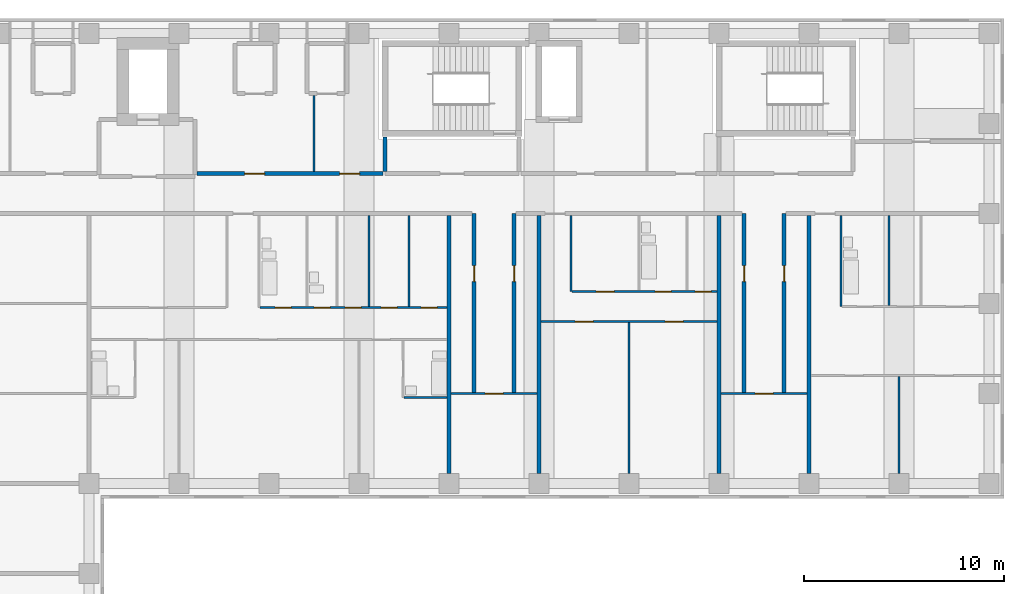
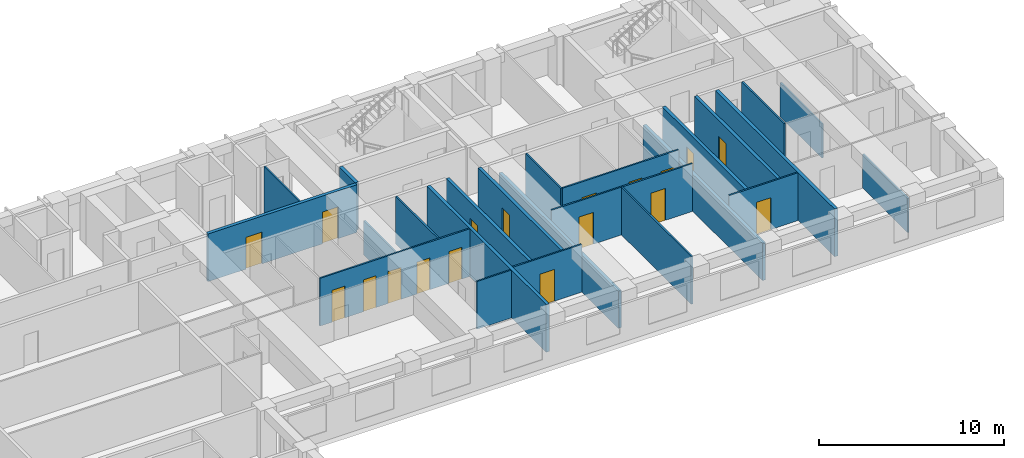
# One storey, part 7 of 12: 24 walls, 18 doors, 18 openings.
"""IFC4 building model written with IfcOpenShell, lengths in metres."""

from ifc_helpers import new_model, si_unit, direction, frame, frame_2d, origin, place, context, subcontext, project, spatial, rectangle, extrude, material, layer, layer_set, type_object, element, fill, save


model = new_model("IFC4")

# Units and contexts
model_context = context("Model", 3, precision=1e-05, world=origin(), true_north=direction((0.0, 1.0)))
body_context = subcontext(model_context, "Body", "Model", "MODEL_VIEW")
ifc_project = project(units=[si_unit("LENGTHUNIT", "METRE"), si_unit("AREAUNIT", "SQUARE_METRE"), si_unit("VOLUMEUNIT", "CUBIC_METRE"), si_unit("PLANEANGLEUNIT", "RADIAN"), si_unit("MASSUNIT", "GRAM", prefix="KILO")], contexts=[model_context])

# Site, building, storey
site_placement = place(None, origin())
site = spatial("IfcSite", under=ifc_project, at=site_placement, CompositionType="ELEMENT")
building_placement = place(site_placement, origin())
building = spatial("IfcBuilding", under=site, at=building_placement, Name="Firuza Court", CompositionType="ELEMENT")
storey_placement = place(building_placement, frame((0.0, 0.0, 170.0)))
storey = spatial("IfcBuildingStorey", under=building, at=storey_placement, Name="L43", CompositionType="ELEMENT", Elevation=170.0)

# Walls
ifc_material_1 = material(Name="Moisture-resistant gypsum board partition")
ifc_layer_1 = layer(ifc_material_1, 0.10009765625)
ifc_layer_set_1 = layer_set([ifc_layer_1], Name="Moisture-resistant gypsum board partition")
wall_type_1 = type_object("IfcWallType", Name="Bathroom partition 100", PredefinedType="PLUMBINGWALL", material=ifc_layer_set_1)
wall_1_placement = place(storey_placement, frame((38.25, 40.300048828125, 0.0), z_axis=(0.0, 0.0, 1.0), x_axis=(1.0, 0.0, 0.0)))
element("IfcWall", 1, at=wall_1_placement, inside=storey, type_object=wall_type_1, Name="Bathroom partition 100 L43", PredefinedType="PLUMBINGWALL", context=body_context, shape_type="SweptSolid", body=[
    extrude(rectangle(XDim=2.14990234375, YDim=0.10009765625, at=frame_2d((1.074951171875, 0.0))), origin(), (0.0, 0.0, 1.0), 3.14990234375),
])
wall_2_placement = place(storey_placement, frame((60.10009765625, 44.85009765625, 0.0), z_axis=(0.0, 0.0, 1.0), x_axis=(0.0, 1.0, 0.0)))
element("IfcWall", 2, at=wall_2_placement, inside=storey, type_object=wall_type_1, Name="Bathroom partition 100 L43", PredefinedType="PLUMBINGWALL", context=body_context, shape_type="SweptSolid", body=[
    extrude(rectangle(XDim=4.5498046875, YDim=0.10009765625, at=frame_2d((2.27490234375, 0.0))), origin(), (0.0, 0.0, 1.0), 3.14990234375),
])
wall_3_placement = place(storey_placement, frame((62.5, 44.89990234375, 0.0), z_axis=(0.0, 0.0, 1.0), x_axis=(0.0, 1.0, 0.0)))
element("IfcWall", 3, at=wall_3_placement, inside=storey, type_object=wall_type_1, Name="Bathroom partition 100 L43", PredefinedType="PLUMBINGWALL", context=body_context, shape_type="SweptSolid", body=[
    extrude(rectangle(XDim=4.5, YDim=0.10009765625, at=frame_2d((2.25, 0.0))), origin(), (0.0, 0.0, 1.0), 2.25),
])

# Wall, opening, door
ifc_material_2 = material(Name="Blockwork, plastered both sides", Category="masonry")
ifc_layer_2 = layer(ifc_material_2, 0.199951171875)
ifc_layer_set_2 = layer_set([ifc_layer_2], Name="Blockwork, plastered both sides")
wall_type_2 = type_object("IfcWallType", Name="Corridor wall 200", PredefinedType="PARTITIONING", material=ifc_layer_set_2)
wall_4_placement = place(storey_placement, frame((41.75, 40.550048828125, 0.0), z_axis=(0.0, 0.0, 1.0), x_axis=(0.0, 1.0, 0.0)))
wall_4 = element("IfcWall", 4, at=wall_4_placement, inside=storey, type_object=wall_type_2, Name="Corridor wall 200 L43", PredefinedType="PARTITIONING", context=body_context, shape_type="SweptSolid", body=[
    extrude(rectangle(XDim=8.949951171875, YDim=0.199951171875, at=frame_2d((4.47509765625, 0.0))), origin(), (0.0, 0.0, 1.0), 3.14990234375),
])
opening_1_placement = place(wall_4_placement, frame((5.550048828125, 0.0, 0.0)))
opening_1 = element("IfcOpeningElement", 5, at=opening_1_placement, cuts=wall_4, Name="Opening D43044", PredefinedType="OPENING", context=body_context, shape_type="SweptSolid", body=[
    extrude(rectangle(XDim=0.800048828125, YDim=2.10009765625, at=frame_2d((0.39990234375, 1.050048828125))), frame((0.0, 0.11181640625, 0.0), z_axis=(0.0, -1.0, 0.0), x_axis=(1.0, 0.0, 0.0)), (0.0, 0.0, 1.0), 0.223876953125),
])
ifc_material_3 = material(Name="Timber door leaf in hardwood frame", Category="wood")
door_type_1 = type_object("IfcDoorType", Name="Room door 800 EI 30", OperationType="SINGLE_SWING_LEFT", PredefinedType="DOOR", material=ifc_material_3)
door_1_placement = place(opening_1_placement, origin())
door_1 = element("IfcDoor", 6, at=door_1_placement, inside=storey, type_object=door_type_1, Name="Store door", OperationType="SINGLE_SWING_RIGHT", OverallHeight=2.10009765625, OverallWidth=0.800048828125, PredefinedType="DOOR", context=body_context, shape_type="SweptSolid", body=[
    extrude(rectangle(XDim=0.800048828125, YDim=2.10009765625, at=frame_2d((0.39990234375, 1.050048828125))), frame((0.0, 0.02490234375, 0.0), z_axis=(0.0, -1.0, 0.0), x_axis=(1.0, 0.0, 0.0)), (0.0, 0.0, 1.0), 0.050048828125),
])
fill(opening_1, door_1)

wall_5_placement = place(storey_placement, frame((43.75, 40.550048828125, 0.0), z_axis=(0.0, 0.0, 1.0), x_axis=(0.0, 1.0, 0.0)))
wall_5 = element("IfcWall", 7, at=wall_5_placement, inside=storey, type_object=wall_type_2, Name="Corridor wall 200 L43", PredefinedType="PARTITIONING", context=body_context, shape_type="SweptSolid", body=[
    extrude(rectangle(XDim=8.949951171875, YDim=0.199951171875, at=frame_2d((4.47509765625, 0.0))), origin(), (0.0, 0.0, 1.0), 3.14990234375),
])
opening_2_placement = place(wall_5_placement, frame((5.550048828125, 0.0, 0.0)))
opening_2 = element("IfcOpeningElement", 8, at=opening_2_placement, cuts=wall_5, Name="Opening D43045", PredefinedType="OPENING", context=body_context, shape_type="SweptSolid", body=[
    extrude(rectangle(XDim=0.800048828125, YDim=2.10009765625, at=frame_2d((0.39990234375, 1.050048828125))), frame((0.0, 0.11181640625, 0.0), z_axis=(0.0, -1.0, 0.0), x_axis=(1.0, 0.0, 0.0)), (0.0, 0.0, 1.0), 0.223876953125),
])
door_2_placement = place(opening_2_placement, frame((0.800048828125, 0.0, 0.0), z_axis=(0.0, 0.0, 1.0), x_axis=(-1.0, 0.0, 0.0)))
door_2 = element("IfcDoor", 9, at=door_2_placement, inside=storey, type_object=door_type_1, Name="Store door", OperationType="SINGLE_SWING_LEFT", OverallHeight=2.10009765625, OverallWidth=0.800048828125, PredefinedType="DOOR", context=body_context, shape_type="SweptSolid", body=[
    extrude(rectangle(XDim=0.800048828125, YDim=2.10009765625, at=frame_2d((0.39990234375, 1.050048828125))), frame((0.0, 0.02490234375, 0.0), z_axis=(0.0, -1.0, 0.0), x_axis=(1.0, 0.0, 0.0)), (0.0, 0.0, 1.0), 0.050048828125),
])
fill(opening_2, door_2)

wall_6_placement = place(storey_placement, frame((55.25, 40.550048828125, 0.0), z_axis=(0.0, 0.0, 1.0), x_axis=(0.0, 1.0, 0.0)))
wall_6 = element("IfcWall", 10, at=wall_6_placement, inside=storey, type_object=wall_type_2, Name="Corridor wall 200 L43", PredefinedType="PARTITIONING", context=body_context, shape_type="SweptSolid", body=[
    extrude(rectangle(XDim=8.949951171875, YDim=0.199951171875, at=frame_2d((4.47509765625, 0.0))), origin(), (0.0, 0.0, 1.0), 3.14990234375),
])
opening_3_placement = place(wall_6_placement, frame((5.550048828125, 0.0, 0.0)))
opening_3 = element("IfcOpeningElement", 11, at=opening_3_placement, cuts=wall_6, Name="Opening D43046", PredefinedType="OPENING", context=body_context, shape_type="SweptSolid", body=[
    extrude(rectangle(XDim=0.800048828125, YDim=2.10009765625, at=frame_2d((0.39990234375, 1.050048828125))), frame((0.0, 0.11181640625, 0.0), z_axis=(0.0, -1.0, 0.0), x_axis=(1.0, 0.0, 0.0)), (0.0, 0.0, 1.0), 0.223876953125),
])
door_3_placement = place(opening_3_placement, origin())
door_3 = element("IfcDoor", 12, at=door_3_placement, inside=storey, type_object=door_type_1, Name="Store door", OperationType="SINGLE_SWING_RIGHT", OverallHeight=2.10009765625, OverallWidth=0.800048828125, PredefinedType="DOOR", context=body_context, shape_type="SweptSolid", body=[
    extrude(rectangle(XDim=0.800048828125, YDim=2.10009765625, at=frame_2d((0.39990234375, 1.050048828125))), frame((0.0, 0.02490234375, 0.0), z_axis=(0.0, -1.0, 0.0), x_axis=(1.0, 0.0, 0.0)), (0.0, 0.0, 1.0), 0.050048828125),
])
fill(opening_3, door_3)

wall_7_placement = place(storey_placement, frame((57.25, 40.550048828125, 0.0), z_axis=(0.0, 0.0, 1.0), x_axis=(0.0, 1.0, 0.0)))
wall_7 = element("IfcWall", 13, at=wall_7_placement, inside=storey, type_object=wall_type_2, Name="Corridor wall 200 L43", PredefinedType="PARTITIONING", context=body_context, shape_type="SweptSolid", body=[
    extrude(rectangle(XDim=8.949951171875, YDim=0.199951171875, at=frame_2d((4.47509765625, 0.0))), origin(), (0.0, 0.0, 1.0), 3.14990234375),
])
opening_4_placement = place(wall_7_placement, frame((5.550048828125, 0.0, 0.0)))
opening_4 = element("IfcOpeningElement", 14, at=opening_4_placement, cuts=wall_7, Name="Opening D43047", PredefinedType="OPENING", context=body_context, shape_type="SweptSolid", body=[
    extrude(rectangle(XDim=0.800048828125, YDim=2.10009765625, at=frame_2d((0.39990234375, 1.050048828125))), frame((0.0, 0.11181640625, 0.0), z_axis=(0.0, -1.0, 0.0), x_axis=(1.0, 0.0, 0.0)), (0.0, 0.0, 1.0), 0.223876953125),
])
door_4_placement = place(opening_4_placement, frame((0.800048828125, 0.0, 0.0), z_axis=(0.0, 0.0, 1.0), x_axis=(-1.0, 0.0, 0.0)))
door_4 = element("IfcDoor", 15, at=door_4_placement, inside=storey, type_object=door_type_1, Name="Store door", OperationType="SINGLE_SWING_LEFT", OverallHeight=2.10009765625, OverallWidth=0.800048828125, PredefinedType="DOOR", context=body_context, shape_type="SweptSolid", body=[
    extrude(rectangle(XDim=0.800048828125, YDim=2.10009765625, at=frame_2d((0.39990234375, 1.050048828125))), frame((0.0, 0.02490234375, 0.0), z_axis=(0.0, -1.0, 0.0), x_axis=(1.0, 0.0, 0.0)), (0.0, 0.0, 1.0), 0.050048828125),
])
fill(opening_4, door_4)

# Wall, openings, doors
wall_8_placement = place(storey_placement, frame((27.89990234375, 51.5, 0.0), z_axis=(0.0, 0.0, 1.0), x_axis=(1.0, 0.0, 0.0)))
wall_8 = element("IfcWall", 16, at=wall_8_placement, inside=storey, type_object=wall_type_2, Name="Corridor wall 200 L43", PredefinedType="PARTITIONING", context=body_context, shape_type="SweptSolid", body=[
    extrude(rectangle(XDim=9.300048828125, YDim=0.199951171875, at=frame_2d((4.64990234375, 0.0))), origin(), (0.0, 0.0, 1.0), 3.14990234375),
])
opening_5_placement = place(wall_8_placement, frame((2.375, 0.0, 0.0)))
opening_5 = element("IfcOpeningElement", 17, at=opening_5_placement, cuts=wall_8, Name="Opening D43073", PredefinedType="OPENING", context=body_context, shape_type="SweptSolid", body=[
    extrude(rectangle(XDim=1.0, YDim=2.10009765625, at=frame_2d((0.5, 1.050048828125))), frame((0.0, 0.11181640625, 0.0), z_axis=(0.0, -1.0, 0.0), x_axis=(1.0, 0.0, 0.0)), (0.0, 0.0, 1.0), 0.223876953125),
])
opening_6_placement = place(wall_8_placement, frame((7.125, 0.0, 0.0)))
opening_6 = element("IfcOpeningElement", 18, at=opening_6_placement, cuts=wall_8, Name="Opening D43074", PredefinedType="OPENING", context=body_context, shape_type="SweptSolid", body=[
    extrude(rectangle(XDim=1.0, YDim=2.10009765625, at=frame_2d((0.5, 1.050048828125))), frame((0.0, 0.11181640625, 0.0), z_axis=(0.0, -1.0, 0.0), x_axis=(1.0, 0.0, 0.0)), (0.0, 0.0, 1.0), 0.223876953125),
])
ifc_material_4 = material(Name="Timber door leaf in hardwood frame", Category="wood")
door_type_2 = type_object("IfcDoorType", Name="Store door 1000", OperationType="SINGLE_SWING_LEFT", PredefinedType="DOOR", material=ifc_material_4)
door_5_placement = place(opening_5_placement, origin())
door_5 = element("IfcDoor", 19, at=door_5_placement, inside=storey, type_object=door_type_2, Name="Comms room door", OperationType="SINGLE_SWING_LEFT", OverallHeight=2.10009765625, OverallWidth=1.0, PredefinedType="DOOR", context=body_context, shape_type="SweptSolid", body=[
    extrude(rectangle(XDim=1.0, YDim=2.10009765625, at=frame_2d((0.5, 1.050048828125))), frame((0.0, 0.02490234375, 0.0), z_axis=(0.0, -1.0, 0.0), x_axis=(1.0, 0.0, 0.0)), (0.0, 0.0, 1.0), 0.050048828125),
])
fill(opening_5, door_5)
door_6_placement = place(opening_6_placement, origin())
door_6 = element("IfcDoor", 20, at=door_6_placement, inside=storey, type_object=door_type_2, Name="Cleaner's store door", OperationType="SINGLE_SWING_LEFT", OverallHeight=2.10009765625, OverallWidth=1.0, PredefinedType="DOOR", context=body_context, shape_type="SweptSolid", body=[
    extrude(rectangle(XDim=1.0, YDim=2.10009765625, at=frame_2d((0.5, 1.050048828125))), frame((0.0, 0.02490234375, 0.0), z_axis=(0.0, -1.0, 0.0), x_axis=(1.0, 0.0, 0.0)), (0.0, 0.0, 1.0), 0.050048828125),
])
fill(opening_6, door_6)

# Walls
ifc_material_5 = material(Name="Timber stud partition, plasterboard both sides", Category="wood")
ifc_layer_3 = layer(ifc_material_5, 0.10009765625)
ifc_layer_set_3 = layer_set([ifc_layer_3], Name="Timber stud partition, plasterboard both sides")
wall_type_3 = type_object("IfcWallType", Name="Partition wall 100", PredefinedType="PARTITIONING", material=ifc_layer_set_3)
wall_9_placement = place(storey_placement, frame((49.5, 36.5, 0.0), z_axis=(0.0, 0.0, 1.0), x_axis=(0.0, 1.0, 0.0)))
element("IfcWall", 21, at=wall_9_placement, inside=storey, type_object=wall_type_3, Name="Partition wall 100 L43", PredefinedType="PARTITIONING", context=body_context, shape_type="SweptSolid", body=[
    extrude(rectangle(XDim=7.550048828125, YDim=0.10009765625, at=frame_2d((3.77490234375, 0.0))), origin(), (0.0, 0.0, 1.0), 3.14990234375),
])
wall_10_placement = place(storey_placement, frame((63.0, 36.5, 0.0), z_axis=(0.0, 0.0, 1.0), x_axis=(0.0, 1.0, 0.0)))
element("IfcWall", 22, at=wall_10_placement, inside=storey, type_object=wall_type_3, Name="Partition wall 100 L43", PredefinedType="PARTITIONING", context=body_context, shape_type="SweptSolid", body=[
    extrude(rectangle(XDim=4.85009765625, YDim=0.10009765625, at=frame_2d((2.425048828125, 0.0))), origin(), (0.0, 0.0, 1.0), 2.25),
])

# Wall, opening, door
wall_11_placement = place(storey_placement, frame((40.60009765625, 40.5, 0.0), z_axis=(0.0, 0.0, 1.0), x_axis=(1.0, 0.0, 0.0)))
wall_11 = element("IfcWall", 23, at=wall_11_placement, inside=storey, type_object=wall_type_3, Name="Partition wall 100 L43", PredefinedType="PARTITIONING", context=body_context, shape_type="SweptSolid", body=[
    extrude(rectangle(XDim=4.2998046875, YDim=0.10009765625, at=frame_2d((2.14990234375, 0.0))), origin(), (0.0, 0.0, 1.0), 3.14990234375),
])
opening_7_placement = place(wall_11_placement, frame((1.699951171875, 0.0, 0.0)))
opening_7 = element("IfcOpeningElement", 24, at=opening_7_placement, cuts=wall_11, Name="Opening D43042", PredefinedType="OPENING", context=body_context, shape_type="SweptSolid", body=[
    extrude(rectangle(XDim=0.89990234375, YDim=2.10009765625, at=frame_2d((0.449951171875, 1.050048828125))), frame((0.0, 0.06201171875, 0.0), z_axis=(0.0, -1.0, 0.0), x_axis=(1.0, 0.0, 0.0)), (0.0, 0.0, 1.0), 0.1240234375),
])
ifc_material_6 = material(Name="Timber door leaf in hardwood frame", Category="wood")
door_type_3 = type_object("IfcDoorType", Name="Room door 900", OperationType="SINGLE_SWING_LEFT", PredefinedType="DOOR", material=ifc_material_6)
door_7_placement = place(opening_7_placement, origin())
door_7 = element("IfcDoor", 25, at=door_7_placement, inside=storey, type_object=door_type_3, Name="Reading lounge door", OperationType="SINGLE_SWING_LEFT", OverallHeight=2.10009765625, OverallWidth=0.89990234375, PredefinedType="DOOR", context=body_context, shape_type="SweptSolid", body=[
    extrude(rectangle(XDim=0.89990234375, YDim=2.10009765625, at=frame_2d((0.449951171875, 1.050048828125))), frame((0.0, 0.02490234375, 0.0), z_axis=(0.0, -1.0, 0.0), x_axis=(1.0, 0.0, 0.0)), (0.0, 0.0, 1.0), 0.050048828125),
])
fill(opening_7, door_7)

wall_12_placement = place(storey_placement, frame((54.10009765625, 40.5, 0.0), z_axis=(0.0, 0.0, 1.0), x_axis=(1.0, 0.0, 0.0)))
wall_12 = element("IfcWall", 26, at=wall_12_placement, inside=storey, type_object=wall_type_3, Name="Partition wall 100 L43", PredefinedType="PARTITIONING", context=body_context, shape_type="SweptSolid", body=[
    extrude(rectangle(XDim=4.2998046875, YDim=0.10009765625, at=frame_2d((2.14990234375, 0.0))), origin(), (0.0, 0.0, 1.0), 3.14990234375),
])
opening_8_placement = place(wall_12_placement, frame((1.699951171875, 0.0, 0.0)))
opening_8 = element("IfcOpeningElement", 27, at=opening_8_placement, cuts=wall_12, Name="Opening D43043", PredefinedType="OPENING", context=body_context, shape_type="SweptSolid", body=[
    extrude(rectangle(XDim=0.89990234375, YDim=2.10009765625, at=frame_2d((0.449951171875, 1.050048828125))), frame((0.0, 0.06201171875, 0.0), z_axis=(0.0, -1.0, 0.0), x_axis=(1.0, 0.0, 0.0)), (0.0, 0.0, 1.0), 0.1240234375),
])
door_8_placement = place(opening_8_placement, origin())
door_8 = element("IfcDoor", 28, at=door_8_placement, inside=storey, type_object=door_type_3, Name="Residents' lounge door", OperationType="SINGLE_SWING_LEFT", OverallHeight=2.10009765625, OverallWidth=0.89990234375, PredefinedType="DOOR", context=body_context, shape_type="SweptSolid", body=[
    extrude(rectangle(XDim=0.89990234375, YDim=2.10009765625, at=frame_2d((0.449951171875, 1.050048828125))), frame((0.0, 0.02490234375, 0.0), z_axis=(0.0, -1.0, 0.0), x_axis=(1.0, 0.0, 0.0)), (0.0, 0.0, 1.0), 0.050048828125),
])
fill(opening_8, door_8)

# Wall, openings, doors
wall_13_placement = place(storey_placement, frame((45.10009765625, 44.10009765625, 0.0), z_axis=(0.0, 0.0, 1.0), x_axis=(1.0, 0.0, 0.0)))
wall_13 = element("IfcWall", 29, at=wall_13_placement, inside=storey, type_object=wall_type_3, Name="Partition wall 100 L43", PredefinedType="PARTITIONING", context=body_context, shape_type="SweptSolid", body=[
    extrude(rectangle(XDim=8.7998046875, YDim=0.10009765625, at=frame_2d((4.39990234375, 0.0))), origin(), (0.0, 0.0, 1.0), 3.14990234375),
])
opening_9_placement = place(wall_13_placement, frame((1.699951171875, 0.0, 0.0)))
opening_9 = element("IfcOpeningElement", 30, at=opening_9_placement, cuts=wall_13, Name="Opening D43053", PredefinedType="OPENING", context=body_context, shape_type="SweptSolid", body=[
    extrude(rectangle(XDim=0.89990234375, YDim=2.10009765625, at=frame_2d((0.449951171875, 1.050048828125))), frame((0.0, 0.06201171875, 0.0), z_axis=(0.0, -1.0, 0.0), x_axis=(1.0, 0.0, 0.0)), (0.0, 0.0, 1.0), 0.1240234375),
])
opening_10_placement = place(wall_13_placement, frame((6.199951171875, 0.0, 0.0)))
opening_10 = element("IfcOpeningElement", 31, at=opening_10_placement, cuts=wall_13, Name="Opening D43054", PredefinedType="OPENING", context=body_context, shape_type="SweptSolid", body=[
    extrude(rectangle(XDim=0.89990234375, YDim=2.10009765625, at=frame_2d((0.449951171875, 1.050048828125))), frame((0.0, 0.06201171875, 0.0), z_axis=(0.0, -1.0, 0.0), x_axis=(1.0, 0.0, 0.0)), (0.0, 0.0, 1.0), 0.1240234375),
])
door_9_placement = place(opening_9_placement, frame((0.89990234375, 0.0, 0.0), z_axis=(0.0, 0.0, 1.0), x_axis=(-1.0, 0.0, 0.0)))
door_9 = element("IfcDoor", 32, at=door_9_placement, inside=storey, type_object=door_type_3, Name="Living room door", OperationType="SINGLE_SWING_RIGHT", OverallHeight=2.10009765625, OverallWidth=0.89990234375, PredefinedType="DOOR", context=body_context, shape_type="SweptSolid", body=[
    extrude(rectangle(XDim=0.89990234375, YDim=2.10009765625, at=frame_2d((0.449951171875, 1.050048828125))), frame((0.0, 0.02490234375, 0.0), z_axis=(0.0, -1.0, 0.0), x_axis=(1.0, 0.0, 0.0)), (0.0, 0.0, 1.0), 0.050048828125),
])
fill(opening_9, door_9)
door_10_placement = place(opening_10_placement, frame((0.89990234375, 0.0, 0.0), z_axis=(0.0, 0.0, 1.0), x_axis=(-1.0, 0.0, 0.0)))
door_10 = element("IfcDoor", 33, at=door_10_placement, inside=storey, type_object=door_type_3, Name="Bedroom door", OperationType="SINGLE_SWING_RIGHT", OverallHeight=2.10009765625, OverallWidth=0.89990234375, PredefinedType="DOOR", context=body_context, shape_type="SweptSolid", body=[
    extrude(rectangle(XDim=0.89990234375, YDim=2.10009765625, at=frame_2d((0.449951171875, 1.050048828125))), frame((0.0, 0.02490234375, 0.0), z_axis=(0.0, -1.0, 0.0), x_axis=(1.0, 0.0, 0.0)), (0.0, 0.0, 1.0), 0.050048828125),
])
fill(opening_10, door_10)

wall_14_placement = place(storey_placement, frame((31.050048828125, 44.800048828125, 0.0), z_axis=(0.0, 0.0, 1.0), x_axis=(1.0, 0.0, 0.0)))
wall_14 = element("IfcWall", 34, at=wall_14_placement, inside=storey, type_object=wall_type_3, Name="Partition wall 100 L43", PredefinedType="PARTITIONING", context=body_context, shape_type="SweptSolid", body=[
    extrude(rectangle(XDim=9.349853515625, YDim=0.10009765625, at=frame_2d((4.6748046875, 0.0))), origin(), (0.0, 0.0, 1.0), 3.14990234375),
])
opening_11_placement = place(wall_14_placement, frame((0.75, 0.0, 0.0)))
opening_11 = element("IfcOpeningElement", 35, at=opening_11_placement, cuts=wall_14, Name="Opening D43056", PredefinedType="OPENING", context=body_context, shape_type="SweptSolid", body=[
    extrude(rectangle(XDim=0.800048828125, YDim=2.10009765625, at=frame_2d((0.39990234375, 1.050048828125))), frame((0.0, 0.06201171875, 0.0), z_axis=(0.0, -1.0, 0.0), x_axis=(1.0, 0.0, 0.0)), (0.0, 0.0, 1.0), 0.1240234375),
])
opening_12_placement = place(wall_14_placement, frame((8.050048828125, 0.0, 0.0)))
opening_12 = element("IfcOpeningElement", 36, at=opening_12_placement, cuts=wall_14, Name="Opening D43057", PredefinedType="OPENING", context=body_context, shape_type="SweptSolid", body=[
    extrude(rectangle(XDim=0.800048828125, YDim=2.10009765625, at=frame_2d((0.39990234375, 1.050048828125))), frame((0.0, 0.06201171875, 0.0), z_axis=(0.0, -1.0, 0.0), x_axis=(1.0, 0.0, 0.0)), (0.0, 0.0, 1.0), 0.1240234375),
])
opening_13_placement = place(wall_14_placement, frame((4.25, 0.0, 0.0)))
opening_13 = element("IfcOpeningElement", 37, at=opening_13_placement, cuts=wall_14, Name="Opening D43058", PredefinedType="OPENING", context=body_context, shape_type="SweptSolid", body=[
    extrude(rectangle(XDim=0.800048828125, YDim=2.10009765625, at=frame_2d((0.39990234375, 1.050048828125))), frame((0.0, 0.06201171875, 0.0), z_axis=(0.0, -1.0, 0.0), x_axis=(1.0, 0.0, 0.0)), (0.0, 0.0, 1.0), 0.1240234375),
])
opening_14_placement = place(wall_14_placement, frame((6.050048828125, 0.0, 0.0)))
opening_14 = element("IfcOpeningElement", 38, at=opening_14_placement, cuts=wall_14, Name="Opening D43059", PredefinedType="OPENING", context=body_context, shape_type="SweptSolid", body=[
    extrude(rectangle(XDim=0.800048828125, YDim=2.10009765625, at=frame_2d((0.39990234375, 1.050048828125))), frame((0.0, 0.06201171875, 0.0), z_axis=(0.0, -1.0, 0.0), x_axis=(1.0, 0.0, 0.0)), (0.0, 0.0, 1.0), 0.1240234375),
])
opening_15_placement = place(wall_14_placement, frame((2.699951171875, 0.0, 0.0)))
opening_15 = element("IfcOpeningElement", 39, at=opening_15_placement, cuts=wall_14, Name="Opening D43060", PredefinedType="OPENING", context=body_context, shape_type="SweptSolid", body=[
    extrude(rectangle(XDim=0.800048828125, YDim=2.10009765625, at=frame_2d((0.39990234375, 1.050048828125))), frame((0.0, 0.06201171875, 0.0), z_axis=(0.0, -1.0, 0.0), x_axis=(1.0, 0.0, 0.0)), (0.0, 0.0, 1.0), 0.1240234375),
])
ifc_material_7 = material(Name="Timber door leaf in hardwood frame", Category="wood")
door_type_4 = type_object("IfcDoorType", Name="Bathroom door 800", OperationType="SINGLE_SWING_LEFT", PredefinedType="DOOR", material=ifc_material_7)
door_11_placement = place(opening_11_placement, origin())
door_11 = element("IfcDoor", 40, at=door_11_placement, inside=storey, type_object=door_type_4, Name="Bathroom door", OperationType="SINGLE_SWING_LEFT", OverallHeight=2.10009765625, OverallWidth=0.800048828125, PredefinedType="DOOR", context=body_context, shape_type="SweptSolid", body=[
    extrude(rectangle(XDim=0.800048828125, YDim=2.10009765625, at=frame_2d((0.39990234375, 1.050048828125))), frame((0.0, 0.02490234375, 0.0), z_axis=(0.0, -1.0, 0.0), x_axis=(1.0, 0.0, 0.0)), (0.0, 0.0, 1.0), 0.050048828125),
])
fill(opening_11, door_11)
door_12_placement = place(opening_15_placement, origin())
door_12 = element("IfcDoor", 41, at=door_12_placement, inside=storey, type_object=door_type_4, Name="Powder room door", OperationType="SINGLE_SWING_LEFT", OverallHeight=2.10009765625, OverallWidth=0.800048828125, PredefinedType="DOOR", context=body_context, shape_type="SweptSolid", body=[
    extrude(rectangle(XDim=0.800048828125, YDim=2.10009765625, at=frame_2d((0.39990234375, 1.050048828125))), frame((0.0, 0.02490234375, 0.0), z_axis=(0.0, -1.0, 0.0), x_axis=(1.0, 0.0, 0.0)), (0.0, 0.0, 1.0), 0.050048828125),
])
fill(opening_15, door_12)
ifc_material_8 = material(Name="Timber door leaf in hardwood frame", Category="wood")
door_type_5 = type_object("IfcDoorType", Name="Room door 800", OperationType="SINGLE_SWING_LEFT", PredefinedType="DOOR", material=ifc_material_8)
door_13_placement = place(opening_12_placement, origin())
door_13 = element("IfcDoor", 42, at=door_13_placement, inside=storey, type_object=door_type_5, Name="Pantry door", OperationType="SINGLE_SWING_LEFT", OverallHeight=2.10009765625, OverallWidth=0.800048828125, PredefinedType="DOOR", context=body_context, shape_type="SweptSolid", body=[
    extrude(rectangle(XDim=0.800048828125, YDim=2.10009765625, at=frame_2d((0.39990234375, 1.050048828125))), frame((0.0, 0.02490234375, 0.0), z_axis=(0.0, -1.0, 0.0), x_axis=(1.0, 0.0, 0.0)), (0.0, 0.0, 1.0), 0.050048828125),
])
fill(opening_12, door_13)
door_14_placement = place(opening_13_placement, origin())
door_14 = element("IfcDoor", 43, at=door_14_placement, inside=storey, type_object=door_type_5, Name="Store door", OperationType="SINGLE_SWING_LEFT", OverallHeight=2.10009765625, OverallWidth=0.800048828125, PredefinedType="DOOR", context=body_context, shape_type="SweptSolid", body=[
    extrude(rectangle(XDim=0.800048828125, YDim=2.10009765625, at=frame_2d((0.39990234375, 1.050048828125))), frame((0.0, 0.02490234375, 0.0), z_axis=(0.0, -1.0, 0.0), x_axis=(1.0, 0.0, 0.0)), (0.0, 0.0, 1.0), 0.050048828125),
])
fill(opening_13, door_14)
door_15_placement = place(opening_14_placement, origin())
door_15 = element("IfcDoor", 44, at=door_15_placement, inside=storey, type_object=door_type_5, Name="Utility room door", OperationType="SINGLE_SWING_LEFT", OverallHeight=2.10009765625, OverallWidth=0.800048828125, PredefinedType="DOOR", context=body_context, shape_type="SweptSolid", body=[
    extrude(rectangle(XDim=0.800048828125, YDim=2.10009765625, at=frame_2d((0.39990234375, 1.050048828125))), frame((0.0, 0.02490234375, 0.0), z_axis=(0.0, -1.0, 0.0), x_axis=(1.0, 0.0, 0.0)), (0.0, 0.0, 1.0), 0.050048828125),
])
fill(opening_14, door_15)

# Walls
wall_15_placement = place(storey_placement, frame((36.5, 44.85009765625, 0.0), z_axis=(0.0, 0.0, 1.0), x_axis=(0.0, 1.0, 0.0)))
element("IfcWall", 45, at=wall_15_placement, inside=storey, type_object=wall_type_3, Name="Partition wall 100 L43", PredefinedType="PARTITIONING", context=body_context, shape_type="SweptSolid", body=[
    extrude(rectangle(XDim=4.5498046875, YDim=0.10009765625, at=frame_2d((2.27490234375, 0.0))), origin(), (0.0, 0.0, 1.0), 2.25),
])
wall_16_placement = place(storey_placement, frame((38.5, 44.85009765625, 0.0), z_axis=(0.0, 0.0, 1.0), x_axis=(0.0, 1.0, 0.0)))
element("IfcWall", 46, at=wall_16_placement, inside=storey, type_object=wall_type_3, Name="Partition wall 100 L43", PredefinedType="PARTITIONING", context=body_context, shape_type="SweptSolid", body=[
    extrude(rectangle(XDim=4.5498046875, YDim=0.10009765625, at=frame_2d((2.27490234375, 0.0))), origin(), (0.0, 0.0, 1.0), 3.14990234375),
])
wall_17_placement = place(storey_placement, frame((46.60009765625, 45.60009765625, 0.0), z_axis=(0.0, 0.0, 1.0), x_axis=(0.0, 1.0, 0.0)))
element("IfcWall", 47, at=wall_17_placement, inside=storey, type_object=wall_type_3, Name="Partition wall 100 L43", PredefinedType="PARTITIONING", context=body_context, shape_type="SweptSolid", body=[
    extrude(rectangle(XDim=3.7998046875, YDim=0.10009765625, at=frame_2d((1.89990234375, 0.0))), origin(), (0.0, 0.0, 1.0), 3.14990234375),
])

# Wall, openings, doors
wall_18_placement = place(storey_placement, frame((46.64990234375, 45.60009765625, 0.0), z_axis=(0.0, 0.0, 1.0), x_axis=(1.0, 0.0, 0.0)))
wall_18 = element("IfcWall", 48, at=wall_18_placement, inside=storey, type_object=wall_type_3, Name="Partition wall 100 L43", PredefinedType="PARTITIONING", context=body_context, shape_type="SweptSolid", body=[
    extrude(rectangle(XDim=7.25, YDim=0.10009765625, at=frame_2d((3.625, 0.0))), origin(), (0.0, 0.0, 1.0), 3.14990234375),
])
opening_16_placement = place(wall_18_placement, frame((4.14990234375, 0.0, 0.0)))
opening_16 = element("IfcOpeningElement", 49, at=opening_16_placement, cuts=wall_18, Name="Opening D43064", PredefinedType="OPENING", context=body_context, shape_type="SweptSolid", body=[
    extrude(rectangle(XDim=0.800048828125, YDim=2.10009765625, at=frame_2d((0.39990234375, 1.050048828125))), frame((0.0, 0.06201171875, 0.0), z_axis=(0.0, -1.0, 0.0), x_axis=(1.0, 0.0, 0.0)), (0.0, 0.0, 1.0), 0.1240234375),
])
opening_17_placement = place(wall_18_placement, frame((1.199951171875, 0.0, 0.0)))
opening_17 = element("IfcOpeningElement", 50, at=opening_17_placement, cuts=wall_18, Name="Opening D43065", PredefinedType="OPENING", context=body_context, shape_type="SweptSolid", body=[
    extrude(rectangle(XDim=0.89990234375, YDim=2.10009765625, at=frame_2d((0.449951171875, 1.050048828125))), frame((0.0, 0.06201171875, 0.0), z_axis=(0.0, -1.0, 0.0), x_axis=(1.0, 0.0, 0.0)), (0.0, 0.0, 1.0), 0.1240234375),
])
opening_18_placement = place(wall_18_placement, frame((6.14990234375, 0.0, 0.0)))
opening_18 = element("IfcOpeningElement", 51, at=opening_18_placement, cuts=wall_18, Name="Opening D43066", PredefinedType="OPENING", context=body_context, shape_type="SweptSolid", body=[
    extrude(rectangle(XDim=0.800048828125, YDim=2.10009765625, at=frame_2d((0.39990234375, 1.050048828125))), frame((0.0, 0.06201171875, 0.0), z_axis=(0.0, -1.0, 0.0), x_axis=(1.0, 0.0, 0.0)), (0.0, 0.0, 1.0), 0.1240234375),
])
door_16_placement = place(opening_16_placement, origin())
door_16 = element("IfcDoor", 52, at=door_16_placement, inside=storey, type_object=door_type_4, Name="Bathroom door", OperationType="SINGLE_SWING_LEFT", OverallHeight=2.10009765625, OverallWidth=0.800048828125, PredefinedType="DOOR", context=body_context, shape_type="SweptSolid", body=[
    extrude(rectangle(XDim=0.800048828125, YDim=2.10009765625, at=frame_2d((0.39990234375, 1.050048828125))), frame((0.0, 0.02490234375, 0.0), z_axis=(0.0, -1.0, 0.0), x_axis=(1.0, 0.0, 0.0)), (0.0, 0.0, 1.0), 0.050048828125),
])
fill(opening_16, door_16)
door_17_placement = place(opening_18_placement, origin())
door_17 = element("IfcDoor", 53, at=door_17_placement, inside=storey, type_object=door_type_5, Name="Store door", OperationType="SINGLE_SWING_LEFT", OverallHeight=2.10009765625, OverallWidth=0.800048828125, PredefinedType="DOOR", context=body_context, shape_type="SweptSolid", body=[
    extrude(rectangle(XDim=0.800048828125, YDim=2.10009765625, at=frame_2d((0.39990234375, 1.050048828125))), frame((0.0, 0.02490234375, 0.0), z_axis=(0.0, -1.0, 0.0), x_axis=(1.0, 0.0, 0.0)), (0.0, 0.0, 1.0), 0.050048828125),
])
fill(opening_18, door_17)
door_18_placement = place(opening_17_placement, origin())
door_18 = element("IfcDoor", 54, at=door_18_placement, inside=storey, type_object=door_type_3, Name="Kitchen door", OperationType="SINGLE_SWING_LEFT", OverallHeight=2.10009765625, OverallWidth=0.89990234375, PredefinedType="DOOR", context=body_context, shape_type="SweptSolid", body=[
    extrude(rectangle(XDim=0.89990234375, YDim=2.10009765625, at=frame_2d((0.449951171875, 1.050048828125))), frame((0.0, 0.02490234375, 0.0), z_axis=(0.0, -1.0, 0.0), x_axis=(1.0, 0.0, 0.0)), (0.0, 0.0, 1.0), 0.050048828125),
])
fill(opening_17, door_18)

# Walls
wall_19_placement = place(storey_placement, frame((33.75, 51.60009765625, 0.0), z_axis=(0.0, 0.0, 1.0), x_axis=(0.0, 1.0, 0.0)))
element("IfcWall", 55, at=wall_19_placement, inside=storey, type_object=wall_type_3, Name="Partition wall 100 L43", PredefinedType="PARTITIONING", context=body_context, shape_type="SweptSolid", body=[
    extrude(rectangle(XDim=3.7998046875, YDim=0.10009765625, at=frame_2d((1.89990234375, 0.0))), origin(), (0.0, 0.0, 1.0), 3.14990234375),
])
ifc_layer_4 = layer(ifc_material_2, 0.199951171875)
ifc_layer_set_4 = layer_set([ifc_layer_4], Name="Blockwork, plastered both sides")
wall_type_4 = type_object("IfcWallType", Name="Party wall 200", PredefinedType="PARTITIONING", material=ifc_layer_set_4)
wall_20_placement = place(storey_placement, frame((40.5, 36.5, 0.0), z_axis=(0.0, 0.0, 1.0), x_axis=(0.0, 1.0, 0.0)))
element("IfcWall", 56, at=wall_20_placement, inside=storey, type_object=wall_type_4, Name="Party wall 200 L43", PredefinedType="PARTITIONING", context=body_context, shape_type="SweptSolid", body=[
    extrude(rectangle(XDim=12.89990234375, YDim=0.199951171875, at=frame_2d((6.449951171875, 0.0))), origin(), (0.0, 0.0, 1.0), 3.14990234375),
])
for number, where, z_axis, x_axis, name in (
    (57, (45.0, 36.5, 0.0), (0.0, 0.0, 1.0), (0.0, 1.0, 0.0), "Party wall 200 L43"),
    (58, (54.0, 36.5, 0.0), (0.0, 0.0, 1.0), (0.0, 1.0, 0.0), "Party wall 200 L43"),
):
    element("IfcWall", number, at=place(storey_placement, frame(where, z_axis=z_axis, x_axis=x_axis)), inside=storey, type_object=wall_type_4, Name=name, PredefinedType="PARTITIONING", context=body_context, shape_type="SweptSolid", body=[
        extrude(rectangle(XDim=12.89990234375, YDim=0.199951171875, at=frame_2d((6.449951171875, 0.0))), origin(), (0.0, 0.0, 1.0), 2.449951171875),
    ])
wall_21_placement = place(storey_placement, frame((58.5, 36.5, 0.0), z_axis=(0.0, 0.0, 1.0), x_axis=(0.0, 1.0, 0.0)))
element("IfcWall", 59, at=wall_21_placement, inside=storey, type_object=wall_type_4, Name="Party wall 200 L43", PredefinedType="PARTITIONING", context=body_context, shape_type="SweptSolid", body=[
    extrude(rectangle(XDim=12.89990234375, YDim=0.199951171875, at=frame_2d((6.449951171875, 0.0))), origin(), (0.0, 0.0, 1.0), 3.14990234375),
])
ifc_material_9 = material(Name="Blockwork, fire-rated", Category="masonry")
ifc_layer_5 = layer(ifc_material_9, 0.199951171875)
ifc_layer_set_5 = layer_set([ifc_layer_5], Name="Blockwork, fire-rated")
wall_type_5 = type_object("IfcWallType", Name="Shaft wall 200", PredefinedType="PARTITIONING", material=ifc_layer_set_5)
wall_22_placement = place(storey_placement, frame((37.300048828125, 51.60009765625, 0.0), z_axis=(0.0, 0.0, 1.0), x_axis=(0.0, 1.0, 0.0)))
element("IfcWall", 60, at=wall_22_placement, inside=storey, type_object=wall_type_5, Name="Shaft wall 200 L43", PredefinedType="PARTITIONING", context=body_context, shape_type="SweptSolid", body=[
    extrude(rectangle(XDim=1.72998046875, YDim=0.199951171875, at=frame_2d((0.864990234375, 0.0))), origin(), (0.0, 0.0, 1.0), 3.14990234375),
])

save(model, "model.ifc")
